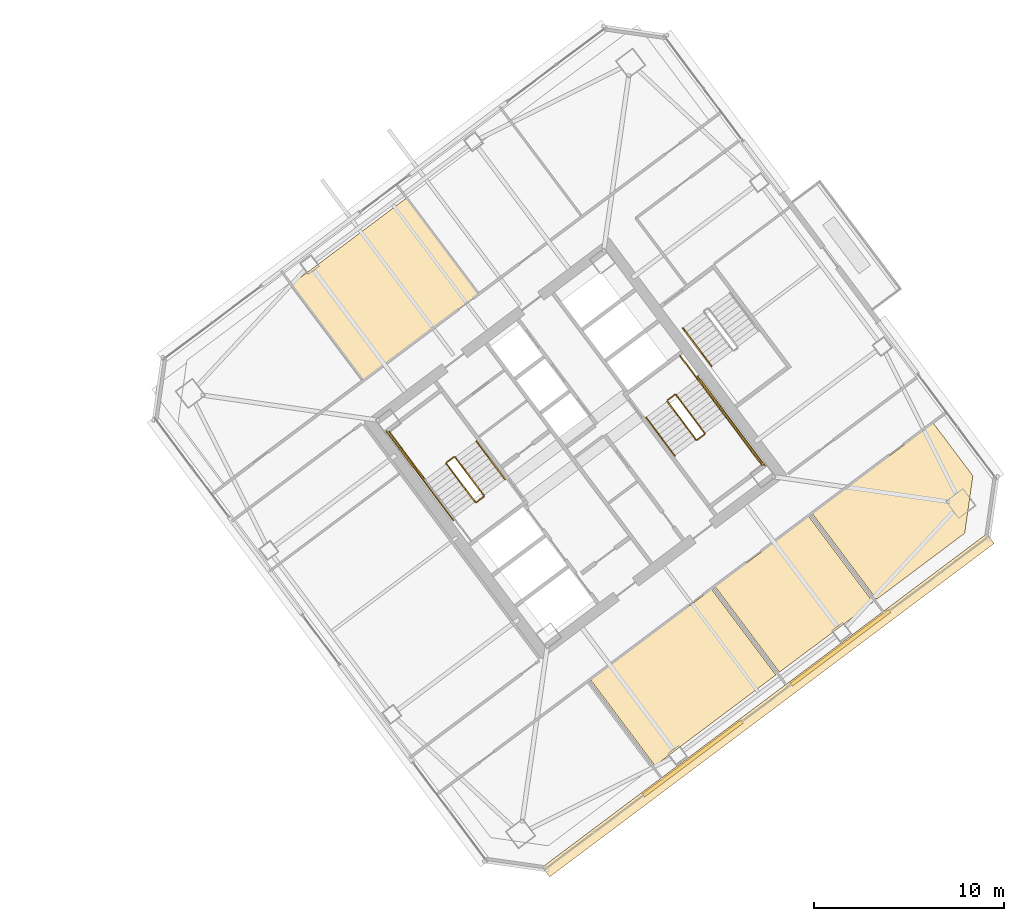
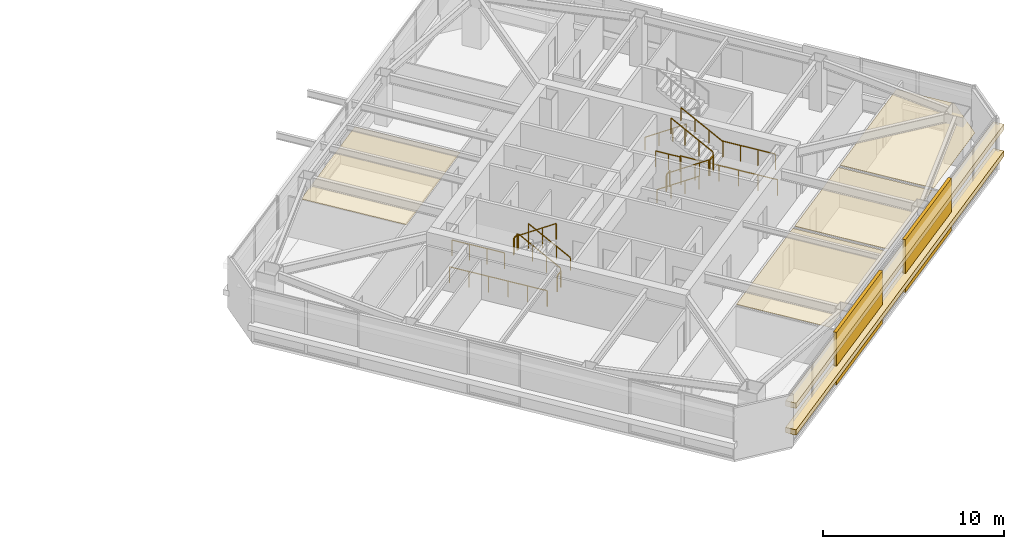
# One storey, part 41 of 43: 17 railings, 8 coverings.
"""IFC4 building model written with IfcOpenShell, lengths in metres."""

from ifc_helpers import new_model, si_unit, direction, frame, origin, origin_2d, place, context, subcontext, project, spatial, polyline, rectangle, outline, extrude, material, layer, layer_set, type_object, element, save


model = new_model("IFC4")

# Units and contexts
model_context = context("Model", 3, precision=1e-05, world=origin(), true_north=direction((0.0, 1.0)))
body_context = subcontext(model_context, "Body", "Model", "MODEL_VIEW")
ifc_project = project(units=[si_unit("LENGTHUNIT", "METRE"), si_unit("AREAUNIT", "SQUARE_METRE"), si_unit("VOLUMEUNIT", "CUBIC_METRE"), si_unit("PLANEANGLEUNIT", "RADIAN"), si_unit("MASSUNIT", "GRAM", prefix="KILO")], contexts=[model_context])

# Site, building, storey
site_placement = place(None, origin())
site = spatial("IfcSite", under=ifc_project, at=site_placement, CompositionType="ELEMENT")
building_placement = place(site_placement, origin())
building = spatial("IfcBuilding", under=site, at=building_placement, Name="Tashvorn Skyway Center", CompositionType="ELEMENT")
storey_placement = place(building_placement, frame((0.0, 0.0, 185.39990234375)))
storey = spatial("IfcBuildingStorey", under=building, at=storey_placement, Name="L50", CompositionType="ELEMENT", Elevation=185.39990234375)

# Coverings
ifc_material_1 = material(Name="Precast concrete C40/50", Category="concrete")
ifc_layer_1 = layer(ifc_material_1, 0.199951171875)
ifc_layer_set_1 = layer_set([ifc_layer_1], Name="Precast concrete C40/50")
covering_type_1 = type_object("IfcCoveringType", Name="COV-BRACE-CLAD", PredefinedType="CLADDING", material=ifc_layer_set_1)
for number, where, z_axis, x_axis, name in (
    (1, (127.9560546875, 21.491943359375, 0.0), (0.0, 0.0, 1.0), (-0.799999996291, -0.600000004945, 0.0), "Tower 2 L50 South Unitised Curtain Wall Mega-Brace Cladding Band 1"),
    (2, (120.179931640625, 15.659912109375, 0.0), (0.0, 0.0, 1.0), (-0.799999996291, -0.600000004945, 0.0), "Tower 2 L50 South Unitised Curtain Wall Mega-Brace Cladding Band 2"),
):
    element("IfcCovering", number, at=place(storey_placement, frame(where, z_axis=z_axis, x_axis=x_axis)), inside=storey, type_object=covering_type_1, Name=name, PredefinedType="CLADDING", context=body_context, shape_type="SweptSolid", body=[
        extrude(rectangle(XDim=6.47998046875, YDim=0.199951171875, at=origin_2d()), origin(), (0.0, 0.0, 1.0), 3.550048828125),
    ])
ifc_material_2 = material(Name="Mineral-fibre acoustic ceiling tile on suspended grid")
ifc_layer_2 = layer(ifc_material_2, 0.02001953125)
ifc_layer_set_2 = layer_set([ifc_layer_2], Name="Mineral-fibre acoustic ceiling tile on suspended grid")
covering_type_2 = type_object("IfcCoveringType", Name="COV-CEIL-20", PredefinedType="CEILING", material=ifc_layer_set_2)
covering_1_placement = place(storey_placement, frame((0.0, 0.0, 2.703125)))
element("IfcCovering", 3, at=covering_1_placement, inside=storey, type_object=covering_type_2, Name="Tower 2 L50 Gallery Showroom Acoustic Ceiling", PredefinedType="CEILING", context=body_context, shape_type="SweptSolid", body=[
    extrude(outline(polyline([(102.818115234375, 35.575927734375), (108.89794921875, 40.135986328125), (105.10009765625, 45.199951171875), (99.02001953125, 40.639892578125), (102.818115234375, 35.575927734375)])), origin(), (0.0, 0.0, 1.0), 0.02001953125),
])
covering_2_placement = place(storey_placement, frame((0.0, 0.0, 2.703125)))
element("IfcCovering", 4, at=covering_2_placement, inside=storey, type_object=covering_type_2, Name="Tower 2 L50 Corporate Office Acoustic Ceiling", PredefinedType="CEILING", context=body_context, shape_type="SweptSolid", body=[
    extrude(outline(polyline([(114.800048828125, 19.800048828125), (121.16796875, 24.575927734375), (124.552001953125, 20.06396484375), (118.18408203125, 15.2880859375), (114.800048828125, 19.800048828125)])), origin(), (0.0, 0.0, 1.0), 0.02001953125),
])
covering_3_placement = place(storey_placement, frame((0.0, 0.0, 2.703125)))
element("IfcCovering", 5, at=covering_3_placement, inside=storey, type_object=covering_type_2, Name="Tower 2 L50 Corporate Office Acoustic Ceiling", PredefinedType="CEILING", context=body_context, shape_type="SweptSolid", body=[
    extrude(outline(polyline([(121.360107421875, 24.719970703125), (126.2880859375, 28.416015625), (129.672119140625, 23.904052734375), (124.743896484375, 20.2080078125), (121.360107421875, 24.719970703125)])), origin(), (0.0, 0.0, 1.0), 0.02001953125),
])
covering_4_placement = place(storey_placement, frame((0.0, 0.0, 2.703125)))
element("IfcCovering", 6, at=covering_4_placement, inside=storey, type_object=covering_type_2, Name="Tower 2 L50 Collaborative Studio Acoustic Ceiling", PredefinedType="CEILING", context=body_context, shape_type="SweptSolid", body=[
    extrude(outline(polyline([(129.864013671875, 24.048095703125), (126.47998046875, 28.56005859375), (132.847900390625, 33.3359375), (134.93603515625, 30.552001953125), (134.50390625, 27.528076171875), (129.864013671875, 24.048095703125)])), origin(), (0.0, 0.0, 1.0), 0.02001953125),
])
ifc_material_3 = material(Name="Perforated ceramic-coated bronze aluminium solar screen", Category="aluminium")
ifc_layer_3 = layer(ifc_material_3, 0.85009765625)
ifc_layer_set_3 = layer_set([ifc_layer_3], Name="Perforated ceramic-coated bronze aluminium solar screen")
covering_type_3 = type_object("IfcCoveringType", Name="COV-SOLAR-BAND", PredefinedType="CLADDING", material=ifc_layer_set_3)
for number, where, z_axis, x_axis, name in (
    (7, (124.152099609375, 18.464111328125, 0.919921875), (0.0, 0.0, 1.0), (-0.799999996291, -0.600000004945, 0.0), "L50 Perforated Ceramic-Metal Solar Screen Louvre Band South 1"),
    (8, (124.152099609375, 18.464111328125, 2.72021484375), (0.0, 0.0, 1.0), (-0.799999996291, -0.600000004945, 0.0), "L50 Perforated Ceramic-Metal Solar Screen Louvre Band South 2"),
):
    element("IfcCovering", number, at=place(storey_placement, frame(where, z_axis=z_axis, x_axis=x_axis)), inside=storey, type_object=covering_type_3, Name=name, PredefinedType="CLADDING", context=body_context, shape_type="SweptSolid", body=[
        extrude(rectangle(XDim=29.280029296875, YDim=0.639892578125, at=origin_2d()), origin(), (0.0, 0.0, 1.0), 0.360107421875),
    ])

# Railings
ifc_material_4 = material(Name="Brushed stainless steel 316", Category="steel")
railing_type_1 = type_object("IfcRailingType", Name="RAIL-HAND-920", PredefinedType="HANDRAIL", material=ifc_material_4)
railing_1_placement = place(storey_placement, frame((110.2880859375, 30.365966796875, 0.177490234375)))
element("IfcRailing", 9, at=railing_1_placement, inside=storey, type_object=railing_type_1, Name="L50 ST-T2-1 stair handrail 1", PredefinedType="HANDRAIL", context=body_context, shape_type="SweptSolid", body=[
    extrude(rectangle(XDim=0.048095703125, YDim=0.048095703125, at=origin_2d()), frame((0.0, 0.0, 0.8759765625), z_axis=(-0.506779409603, 0.675651334276, 0.53541563714), x_axis=(-0.799976749893, -0.600030998891, 0.0)), (0.0, 0.0, 1.0), 2.98388671875),
    extrude(rectangle(XDim=0.0419921875, YDim=0.0419921875, at=origin_2d()), origin(), (0.0, 0.0, 1.0), 0.851806640625),
    extrude(rectangle(XDim=0.0419921875, YDim=0.0419921875, at=origin_2d()), frame((-0.504150390625, 0.672119140625, 0.532470703125)), (0.0, 0.0, 1.0), 0.851806640625),
    extrude(rectangle(XDim=0.0419921875, YDim=0.0419921875, at=origin_2d()), frame((-1.008056640625, 1.343994140625, 1.065185546875)), (0.0, 0.0, 1.0), 0.851806640625),
    extrude(rectangle(XDim=0.0419921875, YDim=0.0419921875, at=origin_2d()), frame((-1.51220703125, 2.01611328125, 1.59765625)), (0.0, 0.0, 1.0), 0.851806640625),
])
railing_2_placement = place(storey_placement, frame((117.7119140625, 33.634033203125, 0.177490234375)))
element("IfcRailing", 10, at=railing_2_placement, inside=storey, type_object=railing_type_1, Name="L50 ST-T2-2 stair handrail 1", PredefinedType="HANDRAIL", context=body_context, shape_type="SweptSolid", body=[
    extrude(rectangle(XDim=0.048095703125, YDim=0.048095703125, at=origin_2d()), frame((0.0, 0.0, 0.8759765625), z_axis=(0.506779409603, -0.675651334276, 0.53541563714), x_axis=(0.799976749893, 0.600030998891, 0.0)), (0.0, 0.0, 1.0), 2.98388671875),
    extrude(rectangle(XDim=0.0419921875, YDim=0.0419921875, at=origin_2d()), origin(), (0.0, 0.0, 1.0), 0.851806640625),
    extrude(rectangle(XDim=0.0419921875, YDim=0.0419921875, at=origin_2d()), frame((0.504150390625, -0.672119140625, 0.532470703125)), (0.0, 0.0, 1.0), 0.851806640625),
    extrude(rectangle(XDim=0.0419921875, YDim=0.0419921875, at=origin_2d()), frame((1.008056640625, -1.343994140625, 1.065185546875)), (0.0, 0.0, 1.0), 0.851806640625),
    extrude(rectangle(XDim=0.0419921875, YDim=0.0419921875, at=origin_2d()), frame((1.51220703125, -2.01611328125, 1.59765625)), (0.0, 0.0, 1.0), 0.851806640625),
])
railing_3_placement = place(storey_placement, frame((121.927978515625, 33.64599609375, 1.95263671875)))
element("IfcRailing", 11, at=railing_3_placement, inside=storey, type_object=railing_type_1, Name="L50 ST-T2-2 stair handrail 2", PredefinedType="HANDRAIL", context=body_context, shape_type="SweptSolid", body=[
    extrude(rectangle(XDim=0.048095703125, YDim=0.048095703125, at=origin_2d()), frame((0.0, 0.0, 0.8759765625), z_axis=(-0.506740800098, 0.675708949977, 0.535379469569), x_axis=(-0.800023250257, -0.599968998406, 0.0)), (0.0, 0.0, 1.0), 2.983642578125),
    extrude(rectangle(XDim=0.0419921875, YDim=0.0419921875, at=origin_2d()), origin(), (0.0, 0.0, 1.0), 0.851806640625),
    extrude(rectangle(XDim=0.0419921875, YDim=0.0419921875, at=origin_2d()), frame((-0.50390625, 0.672119140625, 0.532470703125)), (0.0, 0.0, 1.0), 0.851806640625),
    extrude(rectangle(XDim=0.0419921875, YDim=0.0419921875, at=origin_2d()), frame((-1.008056640625, 1.343994140625, 1.06494140625)), (0.0, 0.0, 1.0), 0.851806640625),
    extrude(rectangle(XDim=0.0419921875, YDim=0.0419921875, at=origin_2d()), frame((-1.511962890625, 2.01611328125, 1.597412109375)), (0.0, 0.0, 1.0), 0.851806640625),
])
railing_4_placement = place(storey_placement, frame((119.656005859375, 38.342041015625, 0.177490234375)))
element("IfcRailing", 12, at=railing_4_placement, inside=storey, type_object=railing_type_1, Name="L50 ST-T2-3 stair handrail 1", PredefinedType="HANDRAIL", context=body_context, shape_type="SweptSolid", body=[
    extrude(rectangle(XDim=0.048095703125, YDim=0.048095703125, at=origin_2d()), frame((0.0, 0.0, 0.8759765625), z_axis=(0.506718600913, -0.675679348675, 0.535437836974), x_axis=(0.800023250257, 0.599968998406, 0.0)), (0.0, 0.0, 1.0), 2.98388671875),
    extrude(rectangle(XDim=0.0419921875, YDim=0.0419921875, at=origin_2d()), origin(), (0.0, 0.0, 1.0), 0.851806640625),
    extrude(rectangle(XDim=0.0419921875, YDim=0.0419921875, at=origin_2d()), frame((0.50390625, -0.672119140625, 0.532470703125)), (0.0, 0.0, 1.0), 0.851806640625),
    extrude(rectangle(XDim=0.0419921875, YDim=0.0419921875, at=origin_2d()), frame((1.008056640625, -1.343994140625, 1.065185546875)), (0.0, 0.0, 1.0), 0.851806640625),
    extrude(rectangle(XDim=0.0419921875, YDim=0.0419921875, at=origin_2d()), frame((1.511962890625, -2.01611328125, 1.59765625)), (0.0, 0.0, 1.0), 0.851806640625),
])
ifc_material_5 = material(Name="Painted galvanized steel S355", Category="steel")
railing_type_2 = type_object("IfcRailingType", Name="RAIL-STGUARD-1100", PredefinedType="GUARDRAIL", material=ifc_material_5)
railing_5_placement = place(storey_placement, frame((109.16796875, 29.52587890625, 0.177490234375)))
element("IfcRailing", 13, at=railing_5_placement, inside=storey, type_object=railing_type_2, Name="L50 ST-T2-1 stair guard 1", PredefinedType="GUARDRAIL", context=body_context, shape_type="SweptSolid", body=[
    extrude(rectangle(XDim=0.048095703125, YDim=0.048095703125, at=origin_2d()), frame((0.0, 0.0, 1.076171875), z_axis=(-0.506718600913, 0.675679348675, 0.535437836974), x_axis=(-0.800023250257, -0.599968998406, 0.0)), (0.0, 0.0, 1.0), 2.98388671875),
    extrude(rectangle(XDim=0.0419921875, YDim=0.0419921875, at=origin_2d()), origin(), (0.0, 0.0, 1.0), 1.052001953125),
    extrude(rectangle(XDim=0.0419921875, YDim=0.0419921875, at=origin_2d()), frame((-0.50390625, 0.672119140625, 0.532470703125)), (0.0, 0.0, 1.0), 1.052001953125),
    extrude(rectangle(XDim=0.0419921875, YDim=0.0419921875, at=origin_2d()), frame((-1.008056640625, 1.343994140625, 1.065185546875)), (0.0, 0.0, 1.0), 1.052001953125),
    extrude(rectangle(XDim=0.0419921875, YDim=0.0419921875, at=origin_2d()), frame((-1.511962890625, 2.01611328125, 1.59765625)), (0.0, 0.0, 1.0), 1.052001953125),
])
railing_6_placement = place(storey_placement, frame((107.5859375, 31.552001953125, 1.775146484375)))
element("IfcRailing", 14, at=railing_6_placement, inside=storey, type_object=railing_type_2, Name="L50 ST-T2-1 stair guard 2", PredefinedType="GUARDRAIL", context=body_context, shape_type="SweptSolid", body=[
    extrude(rectangle(XDim=0.048095703125, YDim=0.048095703125, at=origin_2d()), frame((0.0, 0.0, 1.076171875), z_axis=(-0.799938970639, -0.600081363861, 0.0), x_axis=(0.600081363861, -0.799938970639, 0.0)), (0.0, 0.0, 1.0), 0.47998046875),
    extrude(rectangle(XDim=0.0419921875, YDim=0.0419921875, at=origin_2d()), origin(), (0.0, 0.0, 1.0), 1.052001953125),
    extrude(rectangle(XDim=0.0419921875, YDim=0.0419921875, at=origin_2d()), frame((-0.384033203125, -0.2880859375, 0.0)), (0.0, 0.0, 1.0), 1.052001953125),
])
railing_7_placement = place(storey_placement, frame((106.072021484375, 30.35400390625, 1.775146484375)))
element("IfcRailing", 15, at=railing_7_placement, inside=storey, type_object=railing_type_2, Name="L50 ST-T2-1 stair guard 3", PredefinedType="GUARDRAIL", context=body_context, shape_type="SweptSolid", body=[
    extrude(rectangle(XDim=0.048095703125, YDim=0.048095703125, at=origin_2d()), frame((0.0, 0.0, 1.076171875), z_axis=(-0.599987638607, 0.800009270896, 0.0), x_axis=(-0.800009270896, -0.599987638607, 0.0)), (0.0, 0.0, 1.0), 3.16015625),
    extrude(rectangle(XDim=0.0419921875, YDim=0.0419921875, at=origin_2d()), origin(), (0.0, 0.0, 1.0), 1.052001953125),
    extrude(rectangle(XDim=0.0419921875, YDim=0.0419921875, at=origin_2d()), frame((-0.632080078125, 0.8427734375, 0.0)), (0.0, 0.0, 1.0), 1.052001953125),
    extrude(rectangle(XDim=0.0419921875, YDim=0.0419921875, at=origin_2d()), frame((-1.263916015625, 1.685302734375, 0.0)), (0.0, 0.0, 1.0), 1.052001953125),
    extrude(rectangle(XDim=0.0419921875, YDim=0.0419921875, at=origin_2d()), frame((-1.89599609375, 2.528076171875, 0.0)), (0.0, 0.0, 1.0), 1.052001953125),
])
railing_8_placement = place(storey_placement, frame((107.19189453125, 31.194091796875, 1.95263671875)))
element("IfcRailing", 16, at=railing_8_placement, inside=storey, type_object=railing_type_2, Name="L50 ST-T2-1 stair guard 4", PredefinedType="GUARDRAIL", context=body_context, shape_type="SweptSolid", body=[
    extrude(rectangle(XDim=0.048095703125, YDim=0.048095703125, at=origin_2d()), frame((0.0, 0.0, 1.076171875), z_axis=(0.506801609611, -0.675680931896, 0.535357270211), x_axis=(0.799976749893, 0.600030998891, 0.0)), (0.0, 0.0, 1.0), 2.98388671875),
    extrude(rectangle(XDim=0.0419921875, YDim=0.0419921875, at=origin_2d()), origin(), (0.0, 0.0, 1.0), 1.052001953125),
    extrude(rectangle(XDim=0.0419921875, YDim=0.0419921875, at=origin_2d()), frame((0.504150390625, -0.672119140625, 0.532470703125)), (0.0, 0.0, 1.0), 1.052001953125),
    extrude(rectangle(XDim=0.0419921875, YDim=0.0419921875, at=origin_2d()), frame((1.008056640625, -1.343994140625, 1.06494140625)), (0.0, 0.0, 1.0), 1.052001953125),
    extrude(rectangle(XDim=0.0419921875, YDim=0.0419921875, at=origin_2d()), frame((1.51220703125, -2.01611328125, 1.597412109375)), (0.0, 0.0, 1.0), 1.052001953125),
])
railing_9_placement = place(storey_placement, frame((109.157958984375, 29.4560546875, 0.0)))
element("IfcRailing", 17, at=railing_9_placement, inside=storey, type_object=railing_type_2, Name="L50 ST-T2-1 stair guard 5", PredefinedType="GUARDRAIL", context=body_context, shape_type="SweptSolid", body=[
    extrude(rectangle(XDim=0.048095703125, YDim=0.048095703125, at=origin_2d()), frame((0.0, 0.0, 1.076171875), z_axis=(-0.799938970639, -0.600081363861, 0.0), x_axis=(0.600081363861, -0.799938970639, 0.0)), (0.0, 0.0, 1.0), 0.47998046875),
    extrude(rectangle(XDim=0.0419921875, YDim=0.0419921875, at=origin_2d()), origin(), (0.0, 0.0, 1.0), 1.052001953125),
    extrude(rectangle(XDim=0.0419921875, YDim=0.0419921875, at=origin_2d()), frame((-0.384033203125, -0.2880859375, 0.0)), (0.0, 0.0, 1.0), 1.052001953125),
])
railing_10_placement = place(storey_placement, frame((107.56396484375, 28.197998046875, 0.0)))
element("IfcRailing", 18, at=railing_10_placement, inside=storey, type_object=railing_type_2, Name="L50 ST-T2-1 stair guard 7", PredefinedType="GUARDRAIL", context=body_context, shape_type="SweptSolid", body=[
    extrude(rectangle(XDim=0.048095703125, YDim=0.048095703125, at=origin_2d()), frame((0.0, 0.0, 1.076171875), z_axis=(-0.6, 0.8, 0.0), x_axis=(-0.8, -0.6, 0.0)), (0.0, 0.0, 1.0), 5.880126953125),
    extrude(rectangle(XDim=0.0419921875, YDim=0.0419921875, at=origin_2d()), origin(), (0.0, 0.0, 1.0), 1.052001953125),
    extrude(rectangle(XDim=0.0419921875, YDim=0.0419921875, at=origin_2d()), frame((-0.70556640625, 0.94091796875, 0.0)), (0.0, 0.0, 1.0), 1.052001953125),
    extrude(rectangle(XDim=0.0419921875, YDim=0.0419921875, at=origin_2d()), frame((-1.4111328125, 1.881591796875, 0.0)), (0.0, 0.0, 1.0), 1.052001953125),
    extrude(rectangle(XDim=0.0419921875, YDim=0.0419921875, at=origin_2d()), frame((-2.116943359375, 2.822509765625, 0.0)), (0.0, 0.0, 1.0), 1.052001953125),
    extrude(rectangle(XDim=0.0419921875, YDim=0.0419921875, at=origin_2d()), frame((-2.822509765625, 3.76318359375, 0.0)), (0.0, 0.0, 1.0), 1.052001953125),
    extrude(rectangle(XDim=0.0419921875, YDim=0.0419921875, at=origin_2d()), frame((-3.528076171875, 4.7041015625, 0.0)), (0.0, 0.0, 1.0), 1.052001953125),
])
railing_11_placement = place(storey_placement, frame((118.83203125, 34.47412109375, 0.177490234375)))
element("IfcRailing", 19, at=railing_11_placement, inside=storey, type_object=railing_type_2, Name="L50 ST-T2-2 stair guard 1", PredefinedType="GUARDRAIL", context=body_context, shape_type="SweptSolid", body=[
    extrude(rectangle(XDim=0.048095703125, YDim=0.048095703125, at=origin_2d()), frame((0.0, 0.0, 1.076171875), z_axis=(0.506718600913, -0.675679348675, 0.535437836974), x_axis=(0.800023250257, 0.599968998406, 0.0)), (0.0, 0.0, 1.0), 2.98388671875),
    extrude(rectangle(XDim=0.0419921875, YDim=0.0419921875, at=origin_2d()), origin(), (0.0, 0.0, 1.0), 1.052001953125),
    extrude(rectangle(XDim=0.0419921875, YDim=0.0419921875, at=origin_2d()), frame((0.50390625, -0.672119140625, 0.532470703125)), (0.0, 0.0, 1.0), 1.052001953125),
    extrude(rectangle(XDim=0.0419921875, YDim=0.0419921875, at=origin_2d()), frame((1.008056640625, -1.343994140625, 1.065185546875)), (0.0, 0.0, 1.0), 1.052001953125),
    extrude(rectangle(XDim=0.0419921875, YDim=0.0419921875, at=origin_2d()), frame((1.511962890625, -2.01611328125, 1.59765625)), (0.0, 0.0, 1.0), 1.052001953125),
])
railing_12_placement = place(storey_placement, frame((120.4140625, 32.447998046875, 1.775146484375)))
element("IfcRailing", 20, at=railing_12_placement, inside=storey, type_object=railing_type_2, Name="L50 ST-T2-2 stair guard 2", PredefinedType="GUARDRAIL", context=body_context, shape_type="SweptSolid", body=[
    extrude(rectangle(XDim=0.048095703125, YDim=0.048095703125, at=origin_2d()), frame((0.0, 0.0, 1.076171875), z_axis=(0.799938970639, 0.600081363861, 0.0), x_axis=(-0.600081363861, 0.799938970639, 0.0)), (0.0, 0.0, 1.0), 0.47998046875),
    extrude(rectangle(XDim=0.0419921875, YDim=0.0419921875, at=origin_2d()), origin(), (0.0, 0.0, 1.0), 1.052001953125),
    extrude(rectangle(XDim=0.0419921875, YDim=0.0419921875, at=origin_2d()), frame((0.384033203125, 0.2880859375, 0.0)), (0.0, 0.0, 1.0), 1.052001953125),
])
railing_13_placement = place(storey_placement, frame((121.927978515625, 33.64599609375, 1.775146484375)))
element("IfcRailing", 21, at=railing_13_placement, inside=storey, type_object=railing_type_2, Name="L50 ST-T2-2 stair guard 3", PredefinedType="GUARDRAIL", context=body_context, shape_type="SweptSolid", body=[
    extrude(rectangle(XDim=0.048095703125, YDim=0.048095703125, at=origin_2d()), frame((0.0, 0.0, 1.076171875), z_axis=(0.599987638607, -0.800009270896, 0.0), x_axis=(0.800009270896, 0.599987638607, 0.0)), (0.0, 0.0, 1.0), 3.16015625),
    extrude(rectangle(XDim=0.0419921875, YDim=0.0419921875, at=origin_2d()), origin(), (0.0, 0.0, 1.0), 1.052001953125),
    extrude(rectangle(XDim=0.0419921875, YDim=0.0419921875, at=origin_2d()), frame((0.632080078125, -0.8427734375, 0.0)), (0.0, 0.0, 1.0), 1.052001953125),
    extrude(rectangle(XDim=0.0419921875, YDim=0.0419921875, at=origin_2d()), frame((1.263916015625, -1.685302734375, 0.0)), (0.0, 0.0, 1.0), 1.052001953125),
    extrude(rectangle(XDim=0.0419921875, YDim=0.0419921875, at=origin_2d()), frame((1.89599609375, -2.528076171875, 0.0)), (0.0, 0.0, 1.0), 1.052001953125),
])
railing_14_placement = place(storey_placement, frame((120.80810546875, 32.805908203125, 1.95263671875)))
element("IfcRailing", 22, at=railing_14_placement, inside=storey, type_object=railing_type_2, Name="L50 ST-T2-2 stair guard 4", PredefinedType="GUARDRAIL", context=body_context, shape_type="SweptSolid", body=[
    extrude(rectangle(XDim=0.048095703125, YDim=0.048095703125, at=origin_2d()), frame((0.0, 0.0, 1.076171875), z_axis=(-0.506801609611, 0.675680931896, 0.535357270211), x_axis=(-0.799976749893, -0.600030998891, 0.0)), (0.0, 0.0, 1.0), 2.98388671875),
    extrude(rectangle(XDim=0.0419921875, YDim=0.0419921875, at=origin_2d()), origin(), (0.0, 0.0, 1.0), 1.052001953125),
    extrude(rectangle(XDim=0.0419921875, YDim=0.0419921875, at=origin_2d()), frame((-0.504150390625, 0.672119140625, 0.532470703125)), (0.0, 0.0, 1.0), 1.052001953125),
    extrude(rectangle(XDim=0.0419921875, YDim=0.0419921875, at=origin_2d()), frame((-1.008056640625, 1.343994140625, 1.06494140625)), (0.0, 0.0, 1.0), 1.052001953125),
    extrude(rectangle(XDim=0.0419921875, YDim=0.0419921875, at=origin_2d()), frame((-1.51220703125, 2.01611328125, 1.597412109375)), (0.0, 0.0, 1.0), 1.052001953125),
])
railing_15_placement = place(storey_placement, frame((118.842041015625, 34.5439453125, 0.0)))
element("IfcRailing", 23, at=railing_15_placement, inside=storey, type_object=railing_type_2, Name="L50 ST-T2-2 stair guard 5", PredefinedType="GUARDRAIL", context=body_context, shape_type="SweptSolid", body=[
    extrude(rectangle(XDim=0.048095703125, YDim=0.048095703125, at=origin_2d()), frame((0.0, 0.0, 1.076171875), z_axis=(0.799938970639, 0.600081363861, 0.0), x_axis=(-0.600081363861, 0.799938970639, 0.0)), (0.0, 0.0, 1.0), 0.47998046875),
    extrude(rectangle(XDim=0.0419921875, YDim=0.0419921875, at=origin_2d()), origin(), (0.0, 0.0, 1.0), 1.052001953125),
    extrude(rectangle(XDim=0.0419921875, YDim=0.0419921875, at=origin_2d()), frame((0.384033203125, 0.2880859375, 0.0)), (0.0, 0.0, 1.0), 1.052001953125),
])
railing_16_placement = place(storey_placement, frame((119.50390625, 36.8779296875, 0.0)))
element("IfcRailing", 24, at=railing_16_placement, inside=storey, type_object=railing_type_2, Name="L50 ST-T2-2 stair guard 6", PredefinedType="GUARDRAIL", context=body_context, shape_type="SweptSolid", body=[
    extrude(rectangle(XDim=0.048095703125, YDim=0.048095703125, at=origin_2d()), frame((0.0, 0.0, 1.076171875), z_axis=(0.600102796382, -0.799922892393, 0.0), x_axis=(0.799922892393, 0.600102796382, 0.0)), (0.0, 0.0, 1.0), 1.52001953125),
    extrude(rectangle(XDim=0.0419921875, YDim=0.0419921875, at=origin_2d()), origin(), (0.0, 0.0, 1.0), 1.052001953125),
    extrude(rectangle(XDim=0.0419921875, YDim=0.0419921875, at=origin_2d()), frame((0.4560546875, -0.60791015625, 0.0)), (0.0, 0.0, 1.0), 1.052001953125),
    extrude(rectangle(XDim=0.0419921875, YDim=0.0419921875, at=origin_2d()), frame((0.912109375, -1.2158203125, 0.0)), (0.0, 0.0, 1.0), 1.052001953125),
])
railing_17_placement = place(storey_placement, frame((120.43603515625, 35.802001953125, 0.0)))
element("IfcRailing", 25, at=railing_17_placement, inside=storey, type_object=railing_type_2, Name="L50 ST-T2-2 stair guard 7", PredefinedType="GUARDRAIL", context=body_context, shape_type="SweptSolid", body=[
    extrude(rectangle(XDim=0.048095703125, YDim=0.048095703125, at=origin_2d()), frame((0.0, 0.0, 1.076171875), z_axis=(0.6, -0.8, 0.0), x_axis=(0.8, 0.6, 0.0)), (0.0, 0.0, 1.0), 5.880126953125),
    extrude(rectangle(XDim=0.0419921875, YDim=0.0419921875, at=origin_2d()), origin(), (0.0, 0.0, 1.0), 1.052001953125),
    extrude(rectangle(XDim=0.0419921875, YDim=0.0419921875, at=origin_2d()), frame((0.70556640625, -0.94091796875, 0.0)), (0.0, 0.0, 1.0), 1.052001953125),
    extrude(rectangle(XDim=0.0419921875, YDim=0.0419921875, at=origin_2d()), frame((1.4111328125, -1.881591796875, 0.0)), (0.0, 0.0, 1.0), 1.052001953125),
    extrude(rectangle(XDim=0.0419921875, YDim=0.0419921875, at=origin_2d()), frame((2.116943359375, -2.822509765625, 0.0)), (0.0, 0.0, 1.0), 1.052001953125),
    extrude(rectangle(XDim=0.0419921875, YDim=0.0419921875, at=origin_2d()), frame((2.822509765625, -3.76318359375, 0.0)), (0.0, 0.0, 1.0), 1.052001953125),
    extrude(rectangle(XDim=0.0419921875, YDim=0.0419921875, at=origin_2d()), frame((3.528076171875, -4.7041015625, 0.0)), (0.0, 0.0, 1.0), 1.052001953125),
])

save(model, "model.ifc")
